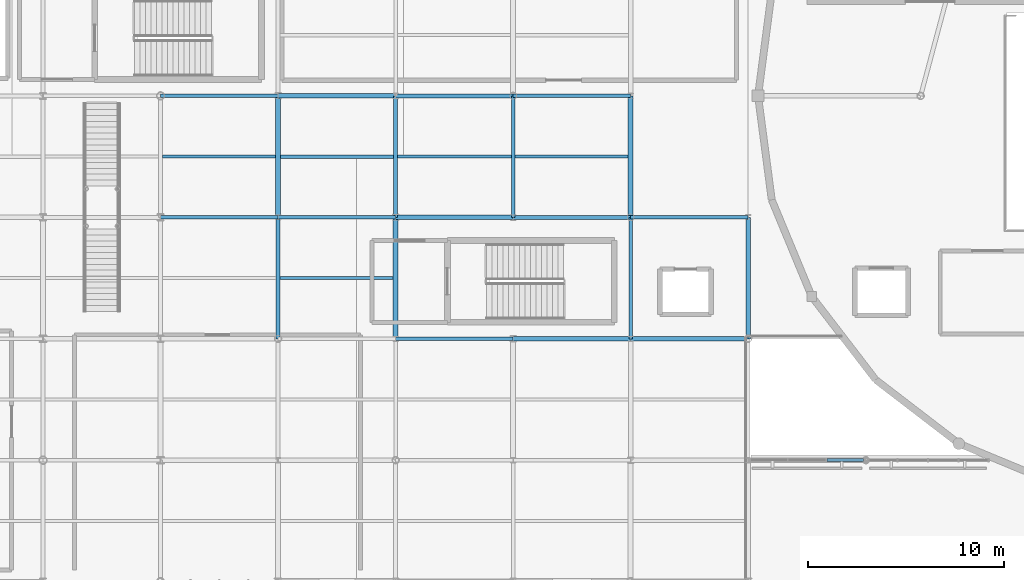
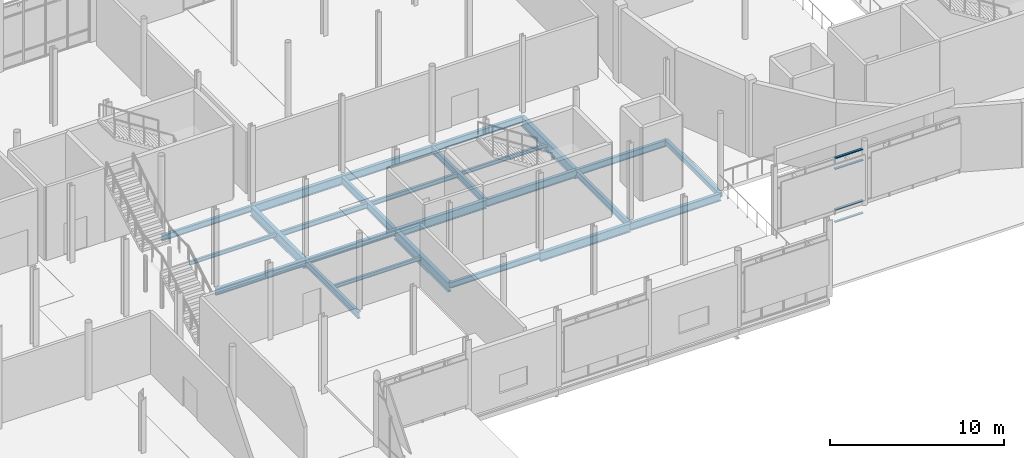
# One storey, part 28 of 105: 25 beams, 4 members, 1 element without a shape of its own.
"""IFC4 building model written with IfcOpenShell, lengths in metres."""

from ifc_helpers import new_model, si_unit, direction, frame, origin, origin_2d, place, context, subcontext, project, spatial, rectangle, hollow_rectangle, i_section, extrude, material, layer, layer_set, material_profile, profile_set, type_object, element, aggregate, save


model = new_model("IFC4")

# Units and contexts
model_context = context("Model", 3, precision=1e-05, world=origin(), true_north=direction((0.0, 1.0)))
body_context = subcontext(model_context, "Body", "Model", "MODEL_VIEW")
ifc_project = project(units=[si_unit("LENGTHUNIT", "METRE"), si_unit("AREAUNIT", "SQUARE_METRE"), si_unit("VOLUMEUNIT", "CUBIC_METRE"), si_unit("PLANEANGLEUNIT", "RADIAN"), si_unit("MASSUNIT", "GRAM", prefix="KILO")], contexts=[model_context])

# Site, building, storey
site_placement = place(None, origin())
site = spatial("IfcSite", under=ifc_project, at=site_placement, CompositionType="ELEMENT")
building_placement = place(site_placement, origin())
building = spatial("IfcBuilding", under=site, at=building_placement, Name="Mirzam Square Science Centre", CompositionType="ELEMENT")
storey_placement = place(building_placement, frame((0.0, 0.0, 5.39990234375)))
storey = spatial("IfcBuildingStorey", under=building, at=storey_placement, Name="L01", CompositionType="ELEMENT", Elevation=5.39990234375)

# Beams
ifc_material_1 = material(Name="Steel S355", Category="steel")
ifc_material_profile_1 = material_profile(ifc_material_1, i_section(OverallWidth=0.1787109375, OverallDepth=0.409423828125, WebThickness=0.0087890625, FlangeThickness=0.014404296875, FilletRadius=0.01025390625, at=origin_2d()), Name="406x178x67UB")
ifc_profile_set_1 = profile_set([ifc_material_profile_1], Name="Steel S355")
beam_type_1 = type_object("IfcBeamType", Name="BM-UB406", PredefinedType="BEAM", material=ifc_profile_set_1)
for number, where, z_axis, x_axis, name in (
    (1, (42.0, 49.60009765625, -0.464599609375), (1.0, 0.0, 0.0), (0.0, 1.0, 0.0), "L01 girder X8-9"),
    (2, (36.0, 55.800048828125, -0.464599609375), (1.0, 0.0, 0.0), (0.0, 1.0, 0.0), "L01 girder X7-10"),
    (3, (30.0, 62.0, -0.464599609375), (1.0, 0.0, 0.0), (0.0, 1.0, 0.0), "L01 girder X6-11"),
):
    element("IfcBeam", number, at=place(storey_placement, frame(where, z_axis=z_axis, x_axis=x_axis)), inside=storey, type_object=beam_type_1, Name=name, PredefinedType="BEAM", context=body_context, shape_type="SweptSolid", body=[
        extrude(i_section(OverallWidth=0.1787109375, OverallDepth=0.409423828125, WebThickness=0.0087890625, FlangeThickness=0.014404296875, FilletRadius=0.01025390625, at=origin_2d()), origin(), (0.0, 0.0, 1.0), 6.0),
    ])
ifc_material_profile_2 = material_profile(ifc_material_1, i_section(OverallWidth=0.19140625, OverallDepth=0.4599609375, WebThickness=0.010009765625, FlangeThickness=0.01611328125, FilletRadius=0.01025390625, at=origin_2d()), Name="457x191x82UB")
ifc_profile_set_2 = profile_set([ifc_material_profile_2], Name="Steel S355")
beam_type_2 = type_object("IfcBeamType", Name="BM-UB457", PredefinedType="BEAM", material=ifc_profile_set_2)
for number, where, z_axis, x_axis, name in (
    (4, (30.0, 55.800048828125, -0.489990234375), (1.0, 0.0, 0.0), (0.0, 1.0, 0.0), "L01 girder X6-10"),
    (5, (54.0, 55.800048828125, -0.489990234375), (1.0, 0.0, 0.0), (0.0, 1.0, 0.0), "L01 girder X10-10"),
    (6, (48.0, 62.0, -0.489990234375), (1.0, 0.0, 0.0), (0.0, 1.0, 0.0), "L01 girder X9-11"),
):
    element("IfcBeam", number, at=place(storey_placement, frame(where, z_axis=z_axis, x_axis=x_axis)), inside=storey, type_object=beam_type_2, Name=name, PredefinedType="BEAM", context=body_context, shape_type="SweptSolid", body=[
        extrude(i_section(OverallWidth=0.19140625, OverallDepth=0.4599609375, WebThickness=0.010009765625, FlangeThickness=0.01611328125, FilletRadius=0.01025390625, at=origin_2d()), origin(), (0.0, 0.0, 1.0), 6.0),
    ])
for number, where, z_axis, x_axis, name in (
    (7, (36.0, 49.60009765625, -0.489990234375), (0.0, 1.0, 0.0), (-1.0, 0.0, 0.0), "L01 girder Y7-9"),
    (8, (48.0, 55.800048828125, -0.489990234375), (0.0, 1.0, 0.0), (-1.0, 0.0, 0.0), "L01 girder Y9-10"),
    (9, (54.0, 49.60009765625, -0.489990234375), (0.0, 1.0, 0.0), (-1.0, 0.0, 0.0), "L01 girder Y10-9"),
):
    element("IfcBeam", number, at=place(storey_placement, frame(where, z_axis=z_axis, x_axis=x_axis)), inside=storey, type_object=beam_type_2, Name=name, PredefinedType="BEAM", context=body_context, shape_type="SweptSolid", body=[
        extrude(i_section(OverallWidth=0.19140625, OverallDepth=0.4599609375, WebThickness=0.010009765625, FlangeThickness=0.01611328125, FilletRadius=0.01025390625, at=origin_2d()), origin(), (0.0, 0.0, 1.0), 6.199951171875),
    ])
ifc_material_profile_3 = material_profile(ifc_material_1, i_section(OverallWidth=0.2099609375, OverallDepth=0.53662109375, WebThickness=0.0107421875, FlangeThickness=0.017333984375, FilletRadius=0.0126953125, at=origin_2d()), Name="533x210x101UB")
ifc_profile_set_3 = profile_set([ifc_material_profile_3], Name="Steel S355")
beam_type_3 = type_object("IfcBeamType", Name="BM-UB533", PredefinedType="BEAM", material=ifc_profile_set_3)
for number, where, z_axis, x_axis, name in (
    (10, (54.0, 49.60009765625, -0.5283203125), (1.0, 0.0, 0.0), (0.0, 1.0, 0.0), "L01 girder X10-9"),
    (11, (48.0, 55.800048828125, -0.5283203125), (1.0, 0.0, 0.0), (0.0, 1.0, 0.0), "L01 girder X9-10"),
    (12, (42.0, 62.0, -0.5283203125), (1.0, 0.0, 0.0), (0.0, 1.0, 0.0), "L01 girder X8-11"),
):
    element("IfcBeam", number, at=place(storey_placement, frame(where, z_axis=z_axis, x_axis=x_axis)), inside=storey, type_object=beam_type_3, Name=name, PredefinedType="BEAM", context=body_context, shape_type="SweptSolid", body=[
        extrude(i_section(OverallWidth=0.2099609375, OverallDepth=0.53662109375, WebThickness=0.0107421875, FlangeThickness=0.017333984375, FilletRadius=0.0126953125, at=origin_2d()), origin(), (0.0, 0.0, 1.0), 6.0),
    ])
beam_1_placement = place(storey_placement, frame((42.0, 55.800048828125, -0.5283203125), z_axis=(0.0, 1.0, 0.0), x_axis=(-1.0, 0.0, 0.0)))
element("IfcBeam", 13, at=beam_1_placement, inside=storey, type_object=beam_type_3, Name="L01 girder Y8-10", PredefinedType="BEAM", context=body_context, shape_type="SweptSolid", body=[
    extrude(i_section(OverallWidth=0.2099609375, OverallDepth=0.53662109375, WebThickness=0.0107421875, FlangeThickness=0.017333984375, FilletRadius=0.0126953125, at=origin_2d()), origin(), (0.0, 0.0, 1.0), 6.199951171875),
])
ifc_material_profile_4 = material_profile(ifc_material_1, i_section(OverallWidth=0.22900390625, OverallDepth=0.6123046875, WebThickness=0.011962890625, FlangeThickness=0.01953125, FilletRadius=0.0126953125, at=origin_2d()), Name="610x229x125UB")
ifc_profile_set_4 = profile_set([ifc_material_profile_4], Name="Steel S355")
beam_type_4 = type_object("IfcBeamType", Name="BM-UB610", PredefinedType="BEAM", material=ifc_profile_set_4)
for number, where, z_axis, x_axis, name in (
    (14, (48.0, 49.60009765625, -0.56591796875), (1.0, 0.0, 0.0), (0.0, 1.0, 0.0), "L01 girder X9-9"),
    (15, (42.0, 55.800048828125, -0.56591796875), (1.0, 0.0, 0.0), (0.0, 1.0, 0.0), "L01 girder X8-10"),
    (16, (36.0, 62.0, -0.56591796875), (1.0, 0.0, 0.0), (0.0, 1.0, 0.0), "L01 girder X7-11"),
):
    element("IfcBeam", number, at=place(storey_placement, frame(where, z_axis=z_axis, x_axis=x_axis)), inside=storey, type_object=beam_type_4, Name=name, PredefinedType="BEAM", context=body_context, shape_type="SweptSolid", body=[
        extrude(i_section(OverallWidth=0.22900390625, OverallDepth=0.6123046875, WebThickness=0.011962890625, FlangeThickness=0.01953125, FilletRadius=0.0126953125, at=origin_2d()), origin(), (0.0, 0.0, 1.0), 6.0),
    ])
ifc_material_profile_5 = material_profile(ifc_material_1, i_section(OverallWidth=0.25439453125, OverallDepth=0.6875, WebThickness=0.01318359375, FlangeThickness=0.02099609375, FilletRadius=0.01513671875, at=origin_2d()), Name="686x254x152UB")
ifc_profile_set_5 = profile_set([ifc_material_profile_5], Name="Steel S355")
beam_type_5 = type_object("IfcBeamType", Name="BM-UB686", PredefinedType="BEAM", material=ifc_profile_set_5)
for number, where, z_axis, x_axis, name in (
    (17, (36.0, 55.800048828125, -0.603759765625), (0.0, 1.0, 0.0), (-1.0, 0.0, 0.0), "L01 girder Y7-10"),
    (18, (42.0, 49.60009765625, -0.603759765625), (0.0, 1.0, 0.0), (-1.0, 0.0, 0.0), "L01 girder Y8-9"),
    (19, (54.0, 55.800048828125, -0.603759765625), (0.0, 1.0, 0.0), (-1.0, 0.0, 0.0), "L01 girder Y10-10"),
):
    element("IfcBeam", number, at=place(storey_placement, frame(where, z_axis=z_axis, x_axis=x_axis)), inside=storey, type_object=beam_type_5, Name=name, PredefinedType="BEAM", context=body_context, shape_type="SweptSolid", body=[
        extrude(i_section(OverallWidth=0.25439453125, OverallDepth=0.6875, WebThickness=0.01318359375, FlangeThickness=0.02099609375, FilletRadius=0.01513671875, at=origin_2d()), origin(), (0.0, 0.0, 1.0), 6.199951171875),
    ])

# Curtain wall, members
ifc_material_2 = material(Name="Anodised Aluminium and Low-E Solar Glass", Category="aluminium")
ifc_layer = layer(ifc_material_2, 0.239990234375)
ifc_layer_set = layer_set([ifc_layer], Name="CW-EAST-B")
curtain_wall_type = type_object("IfcCurtainWallType", Name="CW-EAST-B", PredefinedType="USERDEFINED", material=ifc_layer_set)
curtain_wall_placement = place(storey_placement, origin())
curtain_wall = element("IfcCurtainWall", 20, at=curtain_wall_placement, inside=storey, type_object=curtain_wall_type, Name="L01 unitised curtain wall 51", ObjectType="UNITISED CURTAIN WALL", PredefinedType="USERDEFINED")
ifc_material_3 = material(Name="Anodised Architectural Aluminium 6063-T6", Category="aluminium")
ifc_material_profile_6 = material_profile(ifc_material_3, rectangle(XDim=0.14990234375, YDim=0.06494140625, at=origin_2d()), Name="ALU-TRAN-150x65x4")
ifc_profile_set_6 = profile_set([ifc_material_profile_6], Name="Anodised Architectural Aluminium 6063-T6")
member_type = type_object("IfcMemberType", Name="CWT-150", PredefinedType="USERDEFINED", material=ifc_profile_set_6)
member_1_placement = place(storey_placement, frame((64.01416015625, 43.39990234375, 0.03271484375), z_axis=(1.0, 0.0, 0.0), x_axis=(0.0, 1.0, 0.0)))
member_1 = element("IfcMember", 21, at=member_1_placement, type_object=member_type, Name="CW-06 transom 3.1", ObjectType="TRANSOM", PredefinedType="USERDEFINED", context=body_context, shape_type="SweptSolid", body=[
    extrude(rectangle(XDim=0.14990234375, YDim=0.06494140625, at=origin_2d()), origin(), (0.0, 0.0, 1.0), 1.86572265625),
])
member_2_placement = place(storey_placement, frame((64.01416015625, 43.39990234375, 0.900146484375), z_axis=(1.0, 0.0, 0.0), x_axis=(0.0, 1.0, 0.0)))
member_2 = element("IfcMember", 22, at=member_2_placement, type_object=member_type, Name="CW-06 transom 3.2", ObjectType="TRANSOM", PredefinedType="USERDEFINED", context=body_context, shape_type="SweptSolid", body=[
    extrude(rectangle(XDim=0.14990234375, YDim=0.06494140625, at=origin_2d()), origin(), (0.0, 0.0, 1.0), 1.86572265625),
])
member_3_placement = place(storey_placement, frame((64.01416015625, 43.39990234375, 3.75), z_axis=(1.0, 0.0, 0.0), x_axis=(0.0, 1.0, 0.0)))
member_3 = element("IfcMember", 23, at=member_3_placement, type_object=member_type, Name="CW-06 transom 3.3", ObjectType="TRANSOM", PredefinedType="USERDEFINED", context=body_context, shape_type="SweptSolid", body=[
    extrude(rectangle(XDim=0.14990234375, YDim=0.06494140625, at=origin_2d()), origin(), (0.0, 0.0, 1.0), 1.86572265625),
])
member_4_placement = place(storey_placement, frame((64.01416015625, 43.39990234375, 4.517578125), z_axis=(1.0, 0.0, 0.0), x_axis=(0.0, 1.0, 0.0)))
member_4 = element("IfcMember", 24, at=member_4_placement, type_object=member_type, Name="CW-06 transom 3.4", ObjectType="TRANSOM", PredefinedType="USERDEFINED", context=body_context, shape_type="SweptSolid", body=[
    extrude(rectangle(XDim=0.14990234375, YDim=0.06494140625, at=origin_2d()), origin(), (0.0, 0.0, 1.0), 1.86572265625),
])
aggregate(curtain_wall, [member_1, member_2, member_3, member_4])

# Beams
ifc_material_profile_7 = material_profile(ifc_material_1, i_section(OverallWidth=0.146484375, OverallDepth=0.256103515625, WebThickness=0.00634765625, FlangeThickness=0.010986328125, FilletRadius=0.007568359375, at=origin_2d()), Name="254x146x37UB")
ifc_profile_set_7 = profile_set([ifc_material_profile_7], Name="Steel S355")
beam_type_6 = type_object("IfcBeamType", Name="JS-UB254", PredefinedType="JOIST", material=ifc_profile_set_7)
for number, where, z_axis, x_axis, name in (
    (25, (30.095703125, 58.89990234375, -0.387939453125), (1.0, 0.0, 0.0), (0.0, 1.0, 0.0), "L01 composite joist 6-10"),
    (26, (36.095703125, 52.699951171875, -0.387939453125), (1.0, 0.0, 0.0), (0.0, 1.0, 0.0), "L01 composite joist 7-9"),
    (27, (48.095703125, 58.89990234375, -0.387939453125), (1.0, 0.0, 0.0), (0.0, 1.0, 0.0), "L01 composite joist 9-10"),
):
    element("IfcBeam", number, at=place(storey_placement, frame(where, z_axis=z_axis, x_axis=x_axis)), inside=storey, type_object=beam_type_6, Name=name, PredefinedType="JOIST", context=body_context, shape_type="SweptSolid", body=[
        extrude(i_section(OverallWidth=0.146484375, OverallDepth=0.256103515625, WebThickness=0.00634765625, FlangeThickness=0.010986328125, FilletRadius=0.007568359375, at=origin_2d()), origin(), (0.0, 0.0, 1.0), 5.777099609375),
    ])
ifc_material_profile_8 = material_profile(ifc_material_1, i_section(OverallWidth=0.165771484375, OverallDepth=0.306640625, WebThickness=0.006591796875, FlangeThickness=0.01171875, FilletRadius=0.0087890625, at=origin_2d()), Name="305x165x46UB")
ifc_profile_set_8 = profile_set([ifc_material_profile_8], Name="Steel S355")
beam_type_7 = type_object("IfcBeamType", Name="JS-UB305", PredefinedType="JOIST", material=ifc_profile_set_8)
beam_2_placement = place(storey_placement, frame((42.10498046875, 58.89990234375, -0.4130859375), z_axis=(1.0, 0.0, 0.0), x_axis=(0.0, 1.0, 0.0)))
element("IfcBeam", 28, at=beam_2_placement, inside=storey, type_object=beam_type_7, Name="L01 composite joist 8-10", PredefinedType="JOIST", context=body_context, shape_type="SweptSolid", body=[
    extrude(i_section(OverallWidth=0.165771484375, OverallDepth=0.306640625, WebThickness=0.006591796875, FlangeThickness=0.01171875, FilletRadius=0.0087890625, at=origin_2d()), origin(), (0.0, 0.0, 1.0), 5.79931640625),
])
ifc_material_profile_9 = material_profile(ifc_material_1, i_section(OverallWidth=0.172119140625, OverallDepth=0.35791015625, WebThickness=0.008056640625, FlangeThickness=0.012939453125, FilletRadius=0.01025390625, at=origin_2d()), Name="356x171x57UB")
ifc_profile_set_9 = profile_set([ifc_material_profile_9], Name="Steel S355")
beam_type_8 = type_object("IfcBeamType", Name="JS-UB356", PredefinedType="JOIST", material=ifc_profile_set_9)
beam_3_placement = place(storey_placement, frame((36.127197265625, 58.89990234375, -0.43896484375), z_axis=(1.0, 0.0, 0.0), x_axis=(0.0, 1.0, 0.0)))
element("IfcBeam", 29, at=beam_3_placement, inside=storey, type_object=beam_type_8, Name="L01 composite joist 7-10", PredefinedType="JOIST", context=body_context, shape_type="SweptSolid", body=[
    extrude(i_section(OverallWidth=0.172119140625, OverallDepth=0.35791015625, WebThickness=0.008056640625, FlangeThickness=0.012939453125, FilletRadius=0.01025390625, at=origin_2d()), origin(), (0.0, 0.0, 1.0), 5.767822265625),
])
ifc_material_profile_10 = material_profile(ifc_material_1, hollow_rectangle(XDim=0.25, YDim=0.35009765625, WallThickness=0.012451171875, InnerFilletRadius=0.012451171875, OuterFilletRadius=0.02490234375, at=origin_2d()), Name="350x250x12.5RHS")
ifc_profile_set_10 = profile_set([ifc_material_profile_10], Name="Steel S355")
beam_type_9 = type_object("IfcBeamType", Name="SP-RHS350", PredefinedType="SPANDREL", material=ifc_profile_set_10)
beam_4_placement = place(storey_placement, frame((60.0, 49.60009765625, -0.434814453125), z_axis=(0.0, 1.0, 0.0), x_axis=(-1.0, 0.0, 0.0)))
element("IfcBeam", 30, at=beam_4_placement, inside=storey, type_object=beam_type_9, Name="L01 girder Y11-9", PredefinedType="SPANDREL", context=body_context, shape_type="SweptSolid", body=[
    extrude(hollow_rectangle(XDim=0.25, YDim=0.35009765625, WallThickness=0.012451171875, InnerFilletRadius=0.012451171875, OuterFilletRadius=0.02490234375, at=origin_2d()), origin(), (0.0, 0.0, 1.0), 6.199951171875),
])

save(model, "model.ifc")
